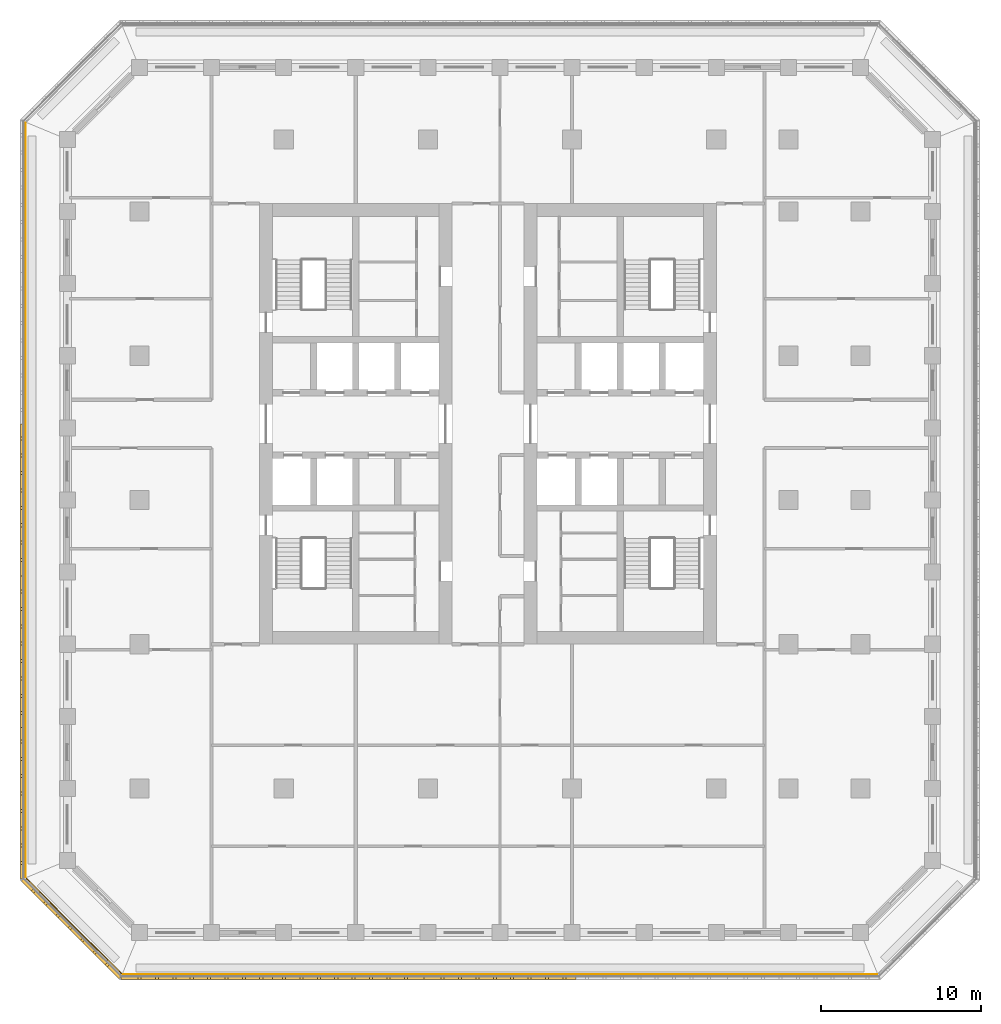
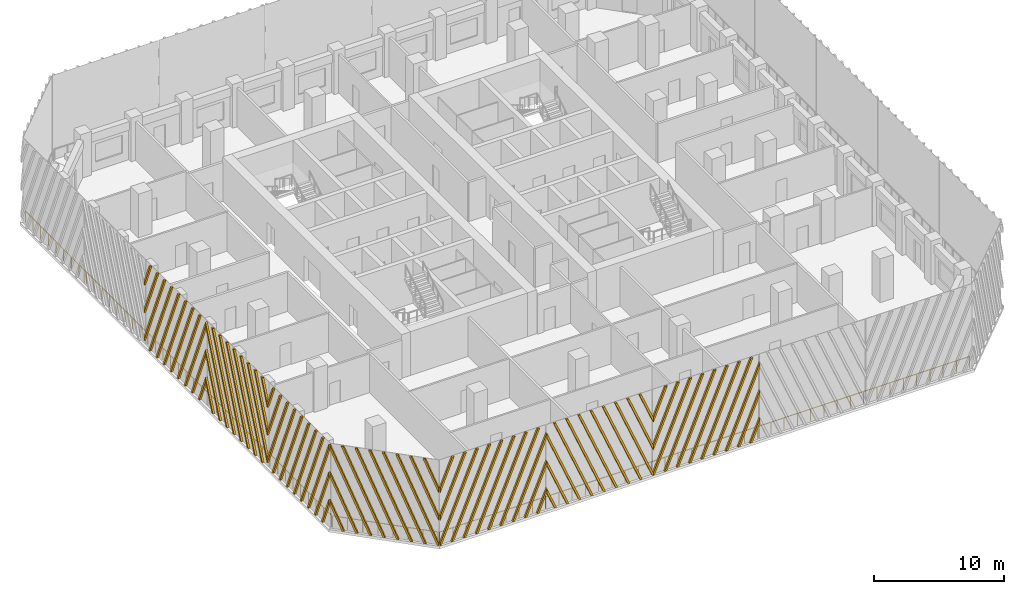
# One storey, part 10 of 17: 7 shading devices, 3 railings.
"""IFC4 building model written with IfcOpenShell, lengths in metres."""

from ifc_helpers import new_model, si_unit, direction, frame, origin, origin_2d, place, context, subcontext, project, spatial, polyline, circle, outline, extrude, source, transform, mapped, material, type_object, element, save


model = new_model("IFC4")

# Units and contexts
model_context = context("Model", 3, precision=1e-05, world=origin(), true_north=direction((0.0, 1.0)))
body_context = subcontext(model_context, "Body", "Model", "MODEL_VIEW")
ifc_project = project(units=[si_unit("LENGTHUNIT", "METRE"), si_unit("AREAUNIT", "SQUARE_METRE"), si_unit("VOLUMEUNIT", "CUBIC_METRE"), si_unit("PLANEANGLEUNIT", "RADIAN"), si_unit("MASSUNIT", "GRAM", prefix="KILO")], contexts=[model_context])

# Site, building, storey
site_placement = place(None, origin())
site = spatial("IfcSite", under=ifc_project, at=site_placement, CompositionType="ELEMENT")
building_placement = place(site_placement, origin())
building = spatial("IfcBuilding", under=site, at=building_placement, Name="Corbel Stack Research Tower", CompositionType="ELEMENT")
storey_placement = place(building_placement, frame((0.0, 0.0, 207.89990234375)))
storey = spatial("IfcBuildingStorey", under=building, at=storey_placement, Name="L47", CompositionType="ELEMENT", Elevation=207.89990234375)

# Railings
ifc_material_1 = material(Name="Powder-coated steel guard", Category="steel")
railing_type = type_object("IfcRailingType", Name="Steel and glass guard 1100", PredefinedType="GUARDRAIL", material=ifc_material_1)
railing_1_placement = place(storey_placement, frame((-19.00537109375, -29.60009765625, 0.0)))
element("IfcRailing", 1, at=railing_1_placement, inside=storey, type_object=railing_type, Name="Loggia guard L47 S", PredefinedType="GUARDRAIL", context=body_context, shape_type="SweptSolid", body=[
    extrude(circle(Radius=0.02392578125, at=origin_2d()), frame((0.0, 0.0, 1.076171875), z_axis=(1.0, 0.0, 0.0), x_axis=(0.0, 1.0, 0.0)), (0.0, 0.0, 1.0), 47.0107421875),
    extrude(circle(Radius=0.02099609375, at=origin_2d()), origin(), (0.0, 0.0, 1.0), 1.052001953125),
    extrude(circle(Radius=0.02099609375, at=origin_2d()), frame((1.17529296875, 0.0, 0.0)), (0.0, 0.0, 1.0), 1.052001953125),
    extrude(circle(Radius=0.02099609375, at=origin_2d()), frame((2.3505859375, 0.0, 0.0)), (0.0, 0.0, 1.0), 1.052001953125),
    extrude(circle(Radius=0.02099609375, at=origin_2d()), frame((3.52587890625, 0.0, 0.0)), (0.0, 0.0, 1.0), 1.052001953125),
    extrude(circle(Radius=0.02099609375, at=origin_2d()), frame((4.701171875, 0.0, 0.0)), (0.0, 0.0, 1.0), 1.052001953125),
    extrude(circle(Radius=0.02099609375, at=origin_2d()), frame((5.87646484375, 0.0, 0.0)), (0.0, 0.0, 1.0), 1.052001953125),
    extrude(circle(Radius=0.02099609375, at=origin_2d()), frame((7.051513671875, 0.0, 0.0)), (0.0, 0.0, 1.0), 1.052001953125),
    extrude(circle(Radius=0.02099609375, at=origin_2d()), frame((8.226806640625, 0.0, 0.0)), (0.0, 0.0, 1.0), 1.052001953125),
    extrude(circle(Radius=0.02099609375, at=origin_2d()), frame((9.402099609375, 0.0, 0.0)), (0.0, 0.0, 1.0), 1.052001953125),
    extrude(circle(Radius=0.02099609375, at=origin_2d()), frame((10.577392578125, 0.0, 0.0)), (0.0, 0.0, 1.0), 1.052001953125),
    extrude(circle(Radius=0.02099609375, at=origin_2d()), frame((11.752685546875, 0.0, 0.0)), (0.0, 0.0, 1.0), 1.052001953125),
    extrude(circle(Radius=0.02099609375, at=origin_2d()), frame((12.927978515625, 0.0, 0.0)), (0.0, 0.0, 1.0), 1.052001953125),
    extrude(circle(Radius=0.02099609375, at=origin_2d()), frame((14.103271484375, 0.0, 0.0)), (0.0, 0.0, 1.0), 1.052001953125),
    extrude(circle(Radius=0.02099609375, at=origin_2d()), frame((15.278564453125, 0.0, 0.0)), (0.0, 0.0, 1.0), 1.052001953125),
    extrude(circle(Radius=0.02099609375, at=origin_2d()), frame((16.453857421875, 0.0, 0.0)), (0.0, 0.0, 1.0), 1.052001953125),
    extrude(circle(Radius=0.02099609375, at=origin_2d()), frame((17.62890625, 0.0, 0.0)), (0.0, 0.0, 1.0), 1.052001953125),
    extrude(circle(Radius=0.02099609375, at=origin_2d()), frame((18.80419921875, 0.0, 0.0)), (0.0, 0.0, 1.0), 1.052001953125),
    extrude(circle(Radius=0.02099609375, at=origin_2d()), frame((19.9794921875, 0.0, 0.0)), (0.0, 0.0, 1.0), 1.052001953125),
    extrude(circle(Radius=0.02099609375, at=origin_2d()), frame((21.15478515625, 0.0, 0.0)), (0.0, 0.0, 1.0), 1.052001953125),
    extrude(circle(Radius=0.02099609375, at=origin_2d()), frame((22.330078125, 0.0, 0.0)), (0.0, 0.0, 1.0), 1.052001953125),
    extrude(circle(Radius=0.02099609375, at=origin_2d()), frame((23.50537109375, 0.0, 0.0)), (0.0, 0.0, 1.0), 1.052001953125),
    extrude(circle(Radius=0.02099609375, at=origin_2d()), frame((24.6806640625, 0.0, 0.0)), (0.0, 0.0, 1.0), 1.052001953125),
    extrude(circle(Radius=0.02099609375, at=origin_2d()), frame((25.85595703125, 0.0, 0.0)), (0.0, 0.0, 1.0), 1.052001953125),
    extrude(circle(Radius=0.02099609375, at=origin_2d()), frame((27.03125, 0.0, 0.0)), (0.0, 0.0, 1.0), 1.052001953125),
    extrude(circle(Radius=0.02099609375, at=origin_2d()), frame((28.20654296875, 0.0, 0.0)), (0.0, 0.0, 1.0), 1.052001953125),
    extrude(circle(Radius=0.02099609375, at=origin_2d()), frame((29.3818359375, 0.0, 0.0)), (0.0, 0.0, 1.0), 1.052001953125),
    extrude(circle(Radius=0.02099609375, at=origin_2d()), frame((30.556884765625, 0.0, 0.0)), (0.0, 0.0, 1.0), 1.052001953125),
    extrude(circle(Radius=0.02099609375, at=origin_2d()), frame((31.732177734375, 0.0, 0.0)), (0.0, 0.0, 1.0), 1.052001953125),
    extrude(circle(Radius=0.02099609375, at=origin_2d()), frame((32.907470703125, 0.0, 0.0)), (0.0, 0.0, 1.0), 1.052001953125),
    extrude(circle(Radius=0.02099609375, at=origin_2d()), frame((34.082763671875, 0.0, 0.0)), (0.0, 0.0, 1.0), 1.052001953125),
    extrude(circle(Radius=0.02099609375, at=origin_2d()), frame((35.258056640625, 0.0, 0.0)), (0.0, 0.0, 1.0), 1.052001953125),
    extrude(circle(Radius=0.02099609375, at=origin_2d()), frame((36.433349609375, 0.0, 0.0)), (0.0, 0.0, 1.0), 1.052001953125),
    extrude(circle(Radius=0.02099609375, at=origin_2d()), frame((37.608642578125, 0.0, 0.0)), (0.0, 0.0, 1.0), 1.052001953125),
    extrude(circle(Radius=0.02099609375, at=origin_2d()), frame((38.783935546875, 0.0, 0.0)), (0.0, 0.0, 1.0), 1.052001953125),
    extrude(circle(Radius=0.02099609375, at=origin_2d()), frame((39.959228515625, 0.0, 0.0)), (0.0, 0.0, 1.0), 1.052001953125),
    extrude(circle(Radius=0.02099609375, at=origin_2d()), frame((41.13427734375, 0.0, 0.0)), (0.0, 0.0, 1.0), 1.052001953125),
    extrude(circle(Radius=0.02099609375, at=origin_2d()), frame((42.3095703125, 0.0, 0.0)), (0.0, 0.0, 1.0), 1.052001953125),
    extrude(circle(Radius=0.02099609375, at=origin_2d()), frame((43.48486328125, 0.0, 0.0)), (0.0, 0.0, 1.0), 1.052001953125),
    extrude(circle(Radius=0.02099609375, at=origin_2d()), frame((44.66015625, 0.0, 0.0)), (0.0, 0.0, 1.0), 1.052001953125),
    extrude(circle(Radius=0.02099609375, at=origin_2d()), frame((45.83544921875, 0.0, 0.0)), (0.0, 0.0, 1.0), 1.052001953125),
    extrude(circle(Radius=0.02099609375, at=origin_2d()), frame((47.0107421875, 0.0, 0.0)), (0.0, 0.0, 1.0), 1.052001953125),
])
railing_2_placement = place(storey_placement, frame((-25.10009765625, 23.50537109375, 0.0)))
element("IfcRailing", 2, at=railing_2_placement, inside=storey, type_object=railing_type, Name="Loggia guard L47 W", PredefinedType="GUARDRAIL", context=body_context, shape_type="SweptSolid", body=[
    extrude(circle(Radius=0.02392578125, at=origin_2d()), frame((0.0, 0.0, 1.076171875), z_axis=(0.0, -1.0, 0.0), x_axis=(1.0, 0.0, 0.0)), (0.0, 0.0, 1.0), 47.0107421875),
    extrude(circle(Radius=0.02099609375, at=origin_2d()), origin(), (0.0, 0.0, 1.0), 1.052001953125),
    extrude(circle(Radius=0.02099609375, at=origin_2d()), frame((0.0, -1.17529296875, 0.0)), (0.0, 0.0, 1.0), 1.052001953125),
    extrude(circle(Radius=0.02099609375, at=origin_2d()), frame((0.0, -2.3505859375, 0.0)), (0.0, 0.0, 1.0), 1.052001953125),
    extrude(circle(Radius=0.02099609375, at=origin_2d()), frame((0.0, -3.52587890625, 0.0)), (0.0, 0.0, 1.0), 1.052001953125),
    extrude(circle(Radius=0.02099609375, at=origin_2d()), frame((0.0, -4.701171875, 0.0)), (0.0, 0.0, 1.0), 1.052001953125),
    extrude(circle(Radius=0.02099609375, at=origin_2d()), frame((0.0, -5.87646484375, 0.0)), (0.0, 0.0, 1.0), 1.052001953125),
    extrude(circle(Radius=0.02099609375, at=origin_2d()), frame((0.0, -7.051513671875, 0.0)), (0.0, 0.0, 1.0), 1.052001953125),
    extrude(circle(Radius=0.02099609375, at=origin_2d()), frame((0.0, -8.226806640625, 0.0)), (0.0, 0.0, 1.0), 1.052001953125),
    extrude(circle(Radius=0.02099609375, at=origin_2d()), frame((0.0, -9.402099609375, 0.0)), (0.0, 0.0, 1.0), 1.052001953125),
    extrude(circle(Radius=0.02099609375, at=origin_2d()), frame((0.0, -10.577392578125, 0.0)), (0.0, 0.0, 1.0), 1.052001953125),
    extrude(circle(Radius=0.02099609375, at=origin_2d()), frame((0.0, -11.752685546875, 0.0)), (0.0, 0.0, 1.0), 1.052001953125),
    extrude(circle(Radius=0.02099609375, at=origin_2d()), frame((0.0, -12.927978515625, 0.0)), (0.0, 0.0, 1.0), 1.052001953125),
    extrude(circle(Radius=0.02099609375, at=origin_2d()), frame((0.0, -14.103271484375, 0.0)), (0.0, 0.0, 1.0), 1.052001953125),
    extrude(circle(Radius=0.02099609375, at=origin_2d()), frame((0.0, -15.278564453125, 0.0)), (0.0, 0.0, 1.0), 1.052001953125),
    extrude(circle(Radius=0.02099609375, at=origin_2d()), frame((0.0, -16.453857421875, 0.0)), (0.0, 0.0, 1.0), 1.052001953125),
    extrude(circle(Radius=0.02099609375, at=origin_2d()), frame((0.0, -17.62890625, 0.0)), (0.0, 0.0, 1.0), 1.052001953125),
    extrude(circle(Radius=0.02099609375, at=origin_2d()), frame((0.0, -18.80419921875, 0.0)), (0.0, 0.0, 1.0), 1.052001953125),
    extrude(circle(Radius=0.02099609375, at=origin_2d()), frame((0.0, -19.9794921875, 0.0)), (0.0, 0.0, 1.0), 1.052001953125),
    extrude(circle(Radius=0.02099609375, at=origin_2d()), frame((0.0, -21.15478515625, 0.0)), (0.0, 0.0, 1.0), 1.052001953125),
    extrude(circle(Radius=0.02099609375, at=origin_2d()), frame((0.0, -22.330078125, 0.0)), (0.0, 0.0, 1.0), 1.052001953125),
    extrude(circle(Radius=0.02099609375, at=origin_2d()), frame((0.0, -23.50537109375, 0.0)), (0.0, 0.0, 1.0), 1.052001953125),
    extrude(circle(Radius=0.02099609375, at=origin_2d()), frame((0.0, -24.6806640625, 0.0)), (0.0, 0.0, 1.0), 1.052001953125),
    extrude(circle(Radius=0.02099609375, at=origin_2d()), frame((0.0, -25.85595703125, 0.0)), (0.0, 0.0, 1.0), 1.052001953125),
    extrude(circle(Radius=0.02099609375, at=origin_2d()), frame((0.0, -27.03125, 0.0)), (0.0, 0.0, 1.0), 1.052001953125),
    extrude(circle(Radius=0.02099609375, at=origin_2d()), frame((0.0, -28.20654296875, 0.0)), (0.0, 0.0, 1.0), 1.052001953125),
    extrude(circle(Radius=0.02099609375, at=origin_2d()), frame((0.0, -29.3818359375, 0.0)), (0.0, 0.0, 1.0), 1.052001953125),
    extrude(circle(Radius=0.02099609375, at=origin_2d()), frame((0.0, -30.556884765625, 0.0)), (0.0, 0.0, 1.0), 1.052001953125),
    extrude(circle(Radius=0.02099609375, at=origin_2d()), frame((0.0, -31.732177734375, 0.0)), (0.0, 0.0, 1.0), 1.052001953125),
    extrude(circle(Radius=0.02099609375, at=origin_2d()), frame((0.0, -32.907470703125, 0.0)), (0.0, 0.0, 1.0), 1.052001953125),
    extrude(circle(Radius=0.02099609375, at=origin_2d()), frame((0.0, -34.082763671875, 0.0)), (0.0, 0.0, 1.0), 1.052001953125),
    extrude(circle(Radius=0.02099609375, at=origin_2d()), frame((0.0, -35.258056640625, 0.0)), (0.0, 0.0, 1.0), 1.052001953125),
    extrude(circle(Radius=0.02099609375, at=origin_2d()), frame((0.0, -36.433349609375, 0.0)), (0.0, 0.0, 1.0), 1.052001953125),
    extrude(circle(Radius=0.02099609375, at=origin_2d()), frame((0.0, -37.608642578125, 0.0)), (0.0, 0.0, 1.0), 1.052001953125),
    extrude(circle(Radius=0.02099609375, at=origin_2d()), frame((0.0, -38.783935546875, 0.0)), (0.0, 0.0, 1.0), 1.052001953125),
    extrude(circle(Radius=0.02099609375, at=origin_2d()), frame((0.0, -39.959228515625, 0.0)), (0.0, 0.0, 1.0), 1.052001953125),
    extrude(circle(Radius=0.02099609375, at=origin_2d()), frame((0.0, -41.13427734375, 0.0)), (0.0, 0.0, 1.0), 1.052001953125),
    extrude(circle(Radius=0.02099609375, at=origin_2d()), frame((0.0, -42.3095703125, 0.0)), (0.0, 0.0, 1.0), 1.052001953125),
    extrude(circle(Radius=0.02099609375, at=origin_2d()), frame((0.0, -43.48486328125, 0.0)), (0.0, 0.0, 1.0), 1.052001953125),
    extrude(circle(Radius=0.02099609375, at=origin_2d()), frame((0.0, -44.66015625, 0.0)), (0.0, 0.0, 1.0), 1.052001953125),
    extrude(circle(Radius=0.02099609375, at=origin_2d()), frame((0.0, -45.83544921875, 0.0)), (0.0, 0.0, 1.0), 1.052001953125),
    extrude(circle(Radius=0.02099609375, at=origin_2d()), frame((0.0, -47.0107421875, 0.0)), (0.0, 0.0, 1.0), 1.052001953125),
])
railing_3_placement = place(storey_placement, frame((-25.04931640625, -23.627685546875, 0.0)))
element("IfcRailing", 3, at=railing_3_placement, inside=storey, type_object=railing_type, Name="Loggia guard L47 SW", PredefinedType="GUARDRAIL", context=body_context, shape_type="SweptSolid", body=[
    extrude(circle(Radius=0.02392578125, at=origin_2d()), frame((0.0, 0.0, 1.076171875), z_axis=(0.707106781187, -0.707106781187, 0.0), x_axis=(0.707106781187, 0.707106781187, 0.0)), (0.0, 0.0, 1.0), 8.37451171875),
    extrude(circle(Radius=0.02099609375, at=origin_2d()), origin(), (0.0, 0.0, 1.0), 1.052001953125),
    extrude(circle(Radius=0.02099609375, at=origin_2d()), frame((0.845947265625, -0.845947265625, 0.0)), (0.0, 0.0, 1.0), 1.052001953125),
    extrude(circle(Radius=0.02099609375, at=origin_2d()), frame((1.69189453125, -1.69189453125, 0.0)), (0.0, 0.0, 1.0), 1.052001953125),
    extrude(circle(Radius=0.02099609375, at=origin_2d()), frame((2.537841796875, -2.537841796875, 0.0)), (0.0, 0.0, 1.0), 1.052001953125),
    extrude(circle(Radius=0.02099609375, at=origin_2d()), frame((3.3837890625, -3.3837890625, 0.0)), (0.0, 0.0, 1.0), 1.052001953125),
    extrude(circle(Radius=0.02099609375, at=origin_2d()), frame((4.229736328125, -4.229736328125, 0.0)), (0.0, 0.0, 1.0), 1.052001953125),
    extrude(circle(Radius=0.02099609375, at=origin_2d()), frame((5.07568359375, -5.07568359375, 0.0)), (0.0, 0.0, 1.0), 1.052001953125),
    extrude(circle(Radius=0.02099609375, at=origin_2d()), frame((5.921630859375, -5.921630859375, 0.0)), (0.0, 0.0, 1.0), 1.052001953125),
])

# Shading devices
ifc_material_2 = material(Name="Precast terracotta", Category="masonry")
shading_device_type = type_object("IfcShadingDeviceType", Name="Terracotta screen panel", PredefinedType="USERDEFINED", material=ifc_material_2)
shared_shape_1 = source(origin(), body_context, "Body", "SweptSolid", [
    extrude(outline(polyline([(1.245849609375, 7.949951171875), (1.055908203125, 7.949951171875), (0.0, 5.421875), (0.0, 4.966796875), (1.245849609375, 7.949951171875)])), frame((0.0, 0.0, 0.0), z_axis=(0.0, -1.0, 0.0), x_axis=(1.0, 0.0, 0.0)), (0.0, 0.0, 1.0), 0.179931640625),
    extrude(outline(polyline([(2.33056640625, 7.949951171875), (2.140380859375, 7.949951171875), (0.0, 2.82470703125), (0.0, 2.36962890625), (2.33056640625, 7.949951171875)])), frame((0.0, 0.0, 0.0), z_axis=(0.0, -1.0, 0.0), x_axis=(1.0, 0.0, 0.0)), (0.0, 0.0, 1.0), 0.179931640625),
    extrude(outline(polyline([(0.094970703125, 0.0), (3.415283203125, 7.949951171875), (3.22509765625, 7.949951171875), (0.0, 0.2275390625), (0.0, 0.0), (0.094970703125, 0.0)])), frame((0.0, 0.0, 0.0), z_axis=(0.0, -1.0, 0.0), x_axis=(1.0, 0.0, 0.0)), (0.0, 0.0, 1.0), 0.179931640625),
    extrude(outline(polyline([(1.1796875, 0.0), (4.499755859375, 7.949951171875), (4.309814453125, 7.949951171875), (0.98974609375, 0.0), (1.1796875, 0.0)])), frame((0.0, 0.0, 0.0), z_axis=(0.0, -1.0, 0.0), x_axis=(1.0, 0.0, 0.0)), (0.0, 0.0, 1.0), 0.179931640625),
    extrude(outline(polyline([(2.264404296875, 0.0), (5.58447265625, 7.949951171875), (5.39453125, 7.949951171875), (2.07421875, 0.0), (2.264404296875, 0.0)])), frame((0.0, 0.0, 0.0), z_axis=(0.0, -1.0, 0.0), x_axis=(1.0, 0.0, 0.0)), (0.0, 0.0, 1.0), 0.179931640625),
    extrude(outline(polyline([(3.34912109375, 0.0), (6.669189453125, 7.949951171875), (6.479248046875, 7.949951171875), (3.158935546875, 0.0), (3.34912109375, 0.0)])), frame((0.0, 0.0, 0.0), z_axis=(0.0, -1.0, 0.0), x_axis=(1.0, 0.0, 0.0)), (0.0, 0.0, 1.0), 0.179931640625),
    extrude(outline(polyline([(4.43359375, 0.0), (7.75390625, 7.949951171875), (7.563720703125, 7.949951171875), (4.24365234375, 0.0), (4.43359375, 0.0)])), frame((0.0, 0.0, 0.0), z_axis=(0.0, -1.0, 0.0), x_axis=(1.0, 0.0, 0.0)), (0.0, 0.0, 1.0), 0.179931640625),
    extrude(outline(polyline([(5.518310546875, 0.0), (8.83837890625, 7.949951171875), (8.6484375, 7.949951171875), (5.328369140625, 0.0), (5.518310546875, 0.0)])), frame((0.0, 0.0, 0.0), z_axis=(0.0, -1.0, 0.0), x_axis=(1.0, 0.0, 0.0)), (0.0, 0.0, 1.0), 0.179931640625),
    extrude(outline(polyline([(6.60302734375, 0.0), (9.45556640625, 6.83056640625), (9.45556640625, 7.285400390625), (6.4130859375, 0.0), (6.60302734375, 0.0)])), frame((0.0, 0.0, 0.0), z_axis=(0.0, -1.0, 0.0), x_axis=(1.0, 0.0, 0.0)), (0.0, 0.0, 1.0), 0.179931640625),
    extrude(outline(polyline([(7.687744140625, 0.0), (9.45556640625, 4.2333984375), (9.45556640625, 4.688232421875), (7.497802734375, 0.0), (7.687744140625, 0.0)])), frame((0.0, 0.0, 0.0), z_axis=(0.0, -1.0, 0.0), x_axis=(1.0, 0.0, 0.0)), (0.0, 0.0, 1.0), 0.179931640625),
    extrude(outline(polyline([(8.772216796875, 0.0), (9.45556640625, 1.635986328125), (9.45556640625, 2.091064453125), (8.582275390625, 0.0), (8.772216796875, 0.0)])), frame((0.0, 0.0, 0.0), z_axis=(0.0, -1.0, 0.0), x_axis=(1.0, 0.0, 0.0)), (0.0, 0.0, 1.0), 0.179931640625),
])
for number, where, z_axis, x_axis, name in (
    (4, (-19.13916015625, -29.75, 0.0), (0.0, 0.0, 1.0), (1.0, 0.0, 0.0), "Terracotta screen L47 S1"),
    (5, (-0.227783203125, -29.75, 0.0), (0.0, 0.0, 1.0), (1.0, 0.0, 0.0), "Terracotta screen L47 S3"),
):
    element("IfcShadingDevice", number, at=place(storey_placement, frame(where, z_axis=z_axis, x_axis=x_axis)), inside=storey, type_object=shading_device_type, Name=name, ObjectType="SCREEN", PredefinedType="USERDEFINED", context=body_context, shape_type="MappedRepresentation", body=[
        mapped(shared_shape_1, transform((0.0, 0.0, 0.0))),
    ])
shared_shape_2 = source(origin(), body_context, "Body", "SweptSolid", [
    extrude(outline(polyline([(0.873291015625, 0.0), (0.0, 2.091064453125), (0.0, 1.635986328125), (0.683349609375, 0.0), (0.873291015625, 0.0)])), frame((0.0, 0.0, 0.0), z_axis=(0.0, -1.0, 0.0), x_axis=(1.0, 0.0, 0.0)), (0.0, 0.0, 1.0), 0.179931640625),
    extrude(outline(polyline([(1.9580078125, 0.0), (0.0, 4.688232421875), (0.0, 4.2333984375), (1.76806640625, 0.0), (1.9580078125, 0.0)])), frame((0.0, 0.0, 0.0), z_axis=(0.0, -1.0, 0.0), x_axis=(1.0, 0.0, 0.0)), (0.0, 0.0, 1.0), 0.179931640625),
    extrude(outline(polyline([(3.04248046875, 0.0), (0.0, 7.285400390625), (0.0, 6.83056640625), (2.8525390625, 0.0), (3.04248046875, 0.0)])), frame((0.0, 0.0, 0.0), z_axis=(0.0, -1.0, 0.0), x_axis=(1.0, 0.0, 0.0)), (0.0, 0.0, 1.0), 0.179931640625),
    extrude(outline(polyline([(4.127197265625, 0.0), (0.80712890625, 7.949951171875), (0.6171875, 7.949951171875), (3.937255859375, 0.0), (4.127197265625, 0.0)])), frame((0.0, 0.0, 0.0), z_axis=(0.0, -1.0, 0.0), x_axis=(1.0, 0.0, 0.0)), (0.0, 0.0, 1.0), 0.179931640625),
    extrude(outline(polyline([(5.2119140625, 0.0), (1.891845703125, 7.949951171875), (1.701904296875, 7.949951171875), (5.02197265625, 0.0), (5.2119140625, 0.0)])), frame((0.0, 0.0, 0.0), z_axis=(0.0, -1.0, 0.0), x_axis=(1.0, 0.0, 0.0)), (0.0, 0.0, 1.0), 0.179931640625),
    extrude(outline(polyline([(6.296630859375, 0.0), (2.9765625, 7.949951171875), (2.78662109375, 7.949951171875), (6.106689453125, 0.0), (6.296630859375, 0.0)])), frame((0.0, 0.0, 0.0), z_axis=(0.0, -1.0, 0.0), x_axis=(1.0, 0.0, 0.0)), (0.0, 0.0, 1.0), 0.179931640625),
    extrude(outline(polyline([(7.38134765625, 0.0), (4.06103515625, 7.949951171875), (3.87109375, 7.949951171875), (7.19140625, 0.0), (7.38134765625, 0.0)])), frame((0.0, 0.0, 0.0), z_axis=(0.0, -1.0, 0.0), x_axis=(1.0, 0.0, 0.0)), (0.0, 0.0, 1.0), 0.179931640625),
    extrude(outline(polyline([(8.466064453125, 0.0), (5.145751953125, 7.949951171875), (4.955810546875, 7.949951171875), (8.27587890625, 0.0), (8.466064453125, 0.0)])), frame((0.0, 0.0, 0.0), z_axis=(0.0, -1.0, 0.0), x_axis=(1.0, 0.0, 0.0)), (0.0, 0.0, 1.0), 0.179931640625),
    extrude(outline(polyline([(9.45556640625, 0.0), (9.45556640625, 0.2275390625), (6.23046875, 7.949951171875), (6.04052734375, 7.949951171875), (9.360595703125, 0.0), (9.45556640625, 0.0)])), frame((0.0, 0.0, 0.0), z_axis=(0.0, -1.0, 0.0), x_axis=(1.0, 0.0, 0.0)), (0.0, 0.0, 1.0), 0.179931640625),
    extrude(outline(polyline([(7.315185546875, 7.949951171875), (7.125, 7.949951171875), (9.45556640625, 2.36962890625), (9.45556640625, 2.82470703125), (7.315185546875, 7.949951171875)])), frame((0.0, 0.0, 0.0), z_axis=(0.0, -1.0, 0.0), x_axis=(1.0, 0.0, 0.0)), (0.0, 0.0, 1.0), 0.179931640625),
    extrude(outline(polyline([(8.39990234375, 7.949951171875), (8.209716796875, 7.949951171875), (9.45556640625, 4.966796875), (9.45556640625, 5.421875), (8.39990234375, 7.949951171875)])), frame((0.0, 0.0, 0.0), z_axis=(0.0, -1.0, 0.0), x_axis=(1.0, 0.0, 0.0)), (0.0, 0.0, 1.0), 0.179931640625),
])
shading_device_1_placement = place(storey_placement, frame((-9.68359375, -29.75, 0.0), z_axis=(0.0, 0.0, 1.0), x_axis=(1.0, 0.0, 0.0)))
element("IfcShadingDevice", 6, at=shading_device_1_placement, inside=storey, type_object=shading_device_type, Name="Terracotta screen L47 S2", ObjectType="SCREEN", PredefinedType="USERDEFINED", context=body_context, shape_type="MappedRepresentation", body=[
    mapped(shared_shape_2, transform((0.0, 0.0, 0.0))),
])
shared_shape_3 = source(origin(), body_context, "Body", "SweptSolid", [
    extrude(outline(polyline([(0.974609375, 7.949951171875), (0.78466796875, 7.949951171875), (0.0, 6.071044921875), (0.0, 5.6162109375), (0.974609375, 7.949951171875)])), frame((0.0, 0.0, 0.0), z_axis=(0.0, -1.0, 0.0), x_axis=(1.0, 0.0, 0.0)), (0.0, 0.0, 1.0), 0.179931640625),
    extrude(outline(polyline([(2.059326171875, 7.949951171875), (1.869384765625, 7.949951171875), (0.0, 3.473876953125), (0.0, 3.01904296875), (2.059326171875, 7.949951171875)])), frame((0.0, 0.0, 0.0), z_axis=(0.0, -1.0, 0.0), x_axis=(1.0, 0.0, 0.0)), (0.0, 0.0, 1.0), 0.179931640625),
    extrude(outline(polyline([(3.14404296875, 7.949951171875), (2.9541015625, 7.949951171875), (0.0, 0.876708984375), (0.0, 0.421875), (3.14404296875, 7.949951171875)])), frame((0.0, 0.0, 0.0), z_axis=(0.0, -1.0, 0.0), x_axis=(1.0, 0.0, 0.0)), (0.0, 0.0, 1.0), 0.179931640625),
    extrude(outline(polyline([(0.908447265625, 0.0), (4.228759765625, 7.949951171875), (4.038818359375, 7.949951171875), (0.718505859375, 0.0), (0.908447265625, 0.0)])), frame((0.0, 0.0, 0.0), z_axis=(0.0, -1.0, 0.0), x_axis=(1.0, 0.0, 0.0)), (0.0, 0.0, 1.0), 0.179931640625),
    extrude(outline(polyline([(1.9931640625, 0.0), (5.313232421875, 7.949951171875), (5.123291015625, 7.949951171875), (1.80322265625, 0.0), (1.9931640625, 0.0)])), frame((0.0, 0.0, 0.0), z_axis=(0.0, -1.0, 0.0), x_axis=(1.0, 0.0, 0.0)), (0.0, 0.0, 1.0), 0.179931640625),
    extrude(outline(polyline([(3.077880859375, 0.0), (6.39794921875, 7.949951171875), (6.2080078125, 7.949951171875), (2.8876953125, 0.0), (3.077880859375, 0.0)])), frame((0.0, 0.0, 0.0), z_axis=(0.0, -1.0, 0.0), x_axis=(1.0, 0.0, 0.0)), (0.0, 0.0, 1.0), 0.179931640625),
    extrude(outline(polyline([(4.16259765625, 0.0), (7.482666015625, 7.949951171875), (7.292724609375, 7.949951171875), (3.972412109375, 0.0), (4.16259765625, 0.0)])), frame((0.0, 0.0, 0.0), z_axis=(0.0, -1.0, 0.0), x_axis=(1.0, 0.0, 0.0)), (0.0, 0.0, 1.0), 0.179931640625),
    extrude(outline(polyline([(5.247314453125, 0.0), (8.5673828125, 7.949951171875), (8.377197265625, 7.949951171875), (5.05712890625, 0.0), (5.247314453125, 0.0)])), frame((0.0, 0.0, 0.0), z_axis=(0.0, -1.0, 0.0), x_axis=(1.0, 0.0, 0.0)), (0.0, 0.0, 1.0), 0.179931640625),
    extrude(outline(polyline([(6.331787109375, 0.0), (9.45556640625, 7.479736328125), (9.45556640625, 7.934814453125), (6.141845703125, 0.0), (6.331787109375, 0.0)])), frame((0.0, 0.0, 0.0), z_axis=(0.0, -1.0, 0.0), x_axis=(1.0, 0.0, 0.0)), (0.0, 0.0, 1.0), 0.179931640625),
    extrude(outline(polyline([(7.41650390625, 0.0), (9.45556640625, 4.882568359375), (9.45556640625, 5.337646484375), (7.2265625, 0.0), (7.41650390625, 0.0)])), frame((0.0, 0.0, 0.0), z_axis=(0.0, -1.0, 0.0), x_axis=(1.0, 0.0, 0.0)), (0.0, 0.0, 1.0), 0.179931640625),
    extrude(outline(polyline([(8.501220703125, 0.0), (9.45556640625, 2.285400390625), (9.45556640625, 2.740478515625), (8.311279296875, 0.0), (8.501220703125, 0.0)])), frame((0.0, 0.0, 0.0), z_axis=(0.0, -1.0, 0.0), x_axis=(1.0, 0.0, 0.0)), (0.0, 0.0, 1.0), 0.179931640625),
])
for number, where, z_axis, x_axis, name in (
    (7, (-25.25, 4.727783203125, 0.0), (0.0, 0.0, 1.0), (0.0, -1.0, 0.0), "Terracotta screen L47 W3"),
    (8, (-25.25, -14.18359375, 0.0), (0.0, 0.0, 1.0), (0.0, -1.0, 0.0), "Terracotta screen L47 W5"),
):
    element("IfcShadingDevice", number, at=place(storey_placement, frame(where, z_axis=z_axis, x_axis=x_axis)), inside=storey, type_object=shading_device_type, Name=name, ObjectType="SCREEN", PredefinedType="USERDEFINED", context=body_context, shape_type="MappedRepresentation", body=[
        mapped(shared_shape_3, transform((0.0, 0.0, 0.0))),
    ])
shared_shape_4 = source(origin(), body_context, "Body", "SweptSolid", [
    extrude(outline(polyline([(1.14453125, 0.0), (0.0, 2.740478515625), (0.0, 2.285400390625), (0.95458984375, 0.0), (1.14453125, 0.0)])), frame((0.0, 0.0, 0.0), z_axis=(0.0, -1.0, 0.0), x_axis=(1.0, 0.0, 0.0)), (0.0, 0.0, 1.0), 0.179931640625),
    extrude(outline(polyline([(2.22900390625, 0.0), (0.0, 5.337646484375), (0.0, 4.882568359375), (2.0390625, 0.0), (2.22900390625, 0.0)])), frame((0.0, 0.0, 0.0), z_axis=(0.0, -1.0, 0.0), x_axis=(1.0, 0.0, 0.0)), (0.0, 0.0, 1.0), 0.179931640625),
    extrude(outline(polyline([(3.313720703125, 0.0), (0.0, 7.934814453125), (0.0, 7.479736328125), (3.123779296875, 0.0), (3.313720703125, 0.0)])), frame((0.0, 0.0, 0.0), z_axis=(0.0, -1.0, 0.0), x_axis=(1.0, 0.0, 0.0)), (0.0, 0.0, 1.0), 0.179931640625),
    extrude(outline(polyline([(4.3984375, 0.0), (1.078369140625, 7.949951171875), (0.88818359375, 7.949951171875), (4.20849609375, 0.0), (4.3984375, 0.0)])), frame((0.0, 0.0, 0.0), z_axis=(0.0, -1.0, 0.0), x_axis=(1.0, 0.0, 0.0)), (0.0, 0.0, 1.0), 0.179931640625),
    extrude(outline(polyline([(5.483154296875, 0.0), (2.1630859375, 7.949951171875), (1.972900390625, 7.949951171875), (5.293212890625, 0.0), (5.483154296875, 0.0)])), frame((0.0, 0.0, 0.0), z_axis=(0.0, -1.0, 0.0), x_axis=(1.0, 0.0, 0.0)), (0.0, 0.0, 1.0), 0.179931640625),
    extrude(outline(polyline([(6.56787109375, 0.0), (3.24755859375, 7.949951171875), (3.0576171875, 7.949951171875), (6.377685546875, 0.0), (6.56787109375, 0.0)])), frame((0.0, 0.0, 0.0), z_axis=(0.0, -1.0, 0.0), x_axis=(1.0, 0.0, 0.0)), (0.0, 0.0, 1.0), 0.179931640625),
    extrude(outline(polyline([(7.652587890625, 0.0), (4.332275390625, 7.949951171875), (4.142333984375, 7.949951171875), (7.46240234375, 0.0), (7.652587890625, 0.0)])), frame((0.0, 0.0, 0.0), z_axis=(0.0, -1.0, 0.0), x_axis=(1.0, 0.0, 0.0)), (0.0, 0.0, 1.0), 0.179931640625),
    extrude(outline(polyline([(8.737060546875, 0.0), (5.4169921875, 7.949951171875), (5.22705078125, 7.949951171875), (8.547119140625, 0.0), (8.737060546875, 0.0)])), frame((0.0, 0.0, 0.0), z_axis=(0.0, -1.0, 0.0), x_axis=(1.0, 0.0, 0.0)), (0.0, 0.0, 1.0), 0.179931640625),
    extrude(outline(polyline([(6.501708984375, 7.949951171875), (6.3115234375, 7.949951171875), (9.45556640625, 0.421875), (9.45556640625, 0.876708984375), (6.501708984375, 7.949951171875)])), frame((0.0, 0.0, 0.0), z_axis=(0.0, -1.0, 0.0), x_axis=(1.0, 0.0, 0.0)), (0.0, 0.0, 1.0), 0.179931640625),
    extrude(outline(polyline([(7.586181640625, 7.949951171875), (7.396240234375, 7.949951171875), (9.45556640625, 3.01904296875), (9.45556640625, 3.473876953125), (7.586181640625, 7.949951171875)])), frame((0.0, 0.0, 0.0), z_axis=(0.0, -1.0, 0.0), x_axis=(1.0, 0.0, 0.0)), (0.0, 0.0, 1.0), 0.179931640625),
    extrude(outline(polyline([(8.6708984375, 7.949951171875), (8.48095703125, 7.949951171875), (9.45556640625, 5.6162109375), (9.45556640625, 6.071044921875), (8.6708984375, 7.949951171875)])), frame((0.0, 0.0, 0.0), z_axis=(0.0, -1.0, 0.0), x_axis=(1.0, 0.0, 0.0)), (0.0, 0.0, 1.0), 0.179931640625),
])
shading_device_2_placement = place(storey_placement, frame((-25.25, -4.727783203125, 0.0), z_axis=(0.0, 0.0, 1.0), x_axis=(0.0, -1.0, 0.0)))
element("IfcShadingDevice", 9, at=shading_device_2_placement, inside=storey, type_object=shading_device_type, Name="Terracotta screen L47 W4", ObjectType="SCREEN", PredefinedType="USERDEFINED", context=body_context, shape_type="MappedRepresentation", body=[
    mapped(shared_shape_4, transform((0.0, 0.0, 0.0))),
])
shared_shape_5 = source(origin(), body_context, "Body", "SweptSolid", [
    extrude(outline(polyline([(1.14453125, 0.0), (0.0, 2.740478515625), (0.0, 2.285400390625), (0.95458984375, 0.0), (1.14453125, 0.0)])), frame((0.0, 0.0, 0.0), z_axis=(0.0, -1.0, 0.0), x_axis=(1.0, 0.0, 0.0)), (0.0, 0.0, 1.0), 0.179931640625),
    extrude(outline(polyline([(2.22900390625, 0.0), (0.0, 5.337646484375), (0.0, 4.882568359375), (2.0390625, 0.0), (2.22900390625, 0.0)])), frame((0.0, 0.0, 0.0), z_axis=(0.0, -1.0, 0.0), x_axis=(1.0, 0.0, 0.0)), (0.0, 0.0, 1.0), 0.179931640625),
    extrude(outline(polyline([(3.313720703125, 0.0), (0.0, 7.934814453125), (0.0, 7.479736328125), (3.123779296875, 0.0), (3.313720703125, 0.0)])), frame((0.0, 0.0, 0.0), z_axis=(0.0, -1.0, 0.0), x_axis=(1.0, 0.0, 0.0)), (0.0, 0.0, 1.0), 0.179931640625),
    extrude(outline(polyline([(4.3984375, 0.0), (1.078369140625, 7.949951171875), (0.88818359375, 7.949951171875), (4.20849609375, 0.0), (4.3984375, 0.0)])), frame((0.0, 0.0, 0.0), z_axis=(0.0, -1.0, 0.0), x_axis=(1.0, 0.0, 0.0)), (0.0, 0.0, 1.0), 0.179931640625),
    extrude(outline(polyline([(5.483154296875, 0.0), (2.1630859375, 7.949951171875), (1.972900390625, 7.949951171875), (5.293212890625, 0.0), (5.483154296875, 0.0)])), frame((0.0, 0.0, 0.0), z_axis=(0.0, -1.0, 0.0), x_axis=(1.0, 0.0, 0.0)), (0.0, 0.0, 1.0), 0.179931640625),
    extrude(outline(polyline([(6.56787109375, 0.0), (3.24755859375, 7.949951171875), (3.0576171875, 7.949951171875), (6.377685546875, 0.0), (6.56787109375, 0.0)])), frame((0.0, 0.0, 0.0), z_axis=(0.0, -1.0, 0.0), x_axis=(1.0, 0.0, 0.0)), (0.0, 0.0, 1.0), 0.179931640625),
    extrude(outline(polyline([(7.652587890625, 0.0), (4.332275390625, 7.949951171875), (4.142333984375, 7.949951171875), (7.46240234375, 0.0), (7.652587890625, 0.0)])), frame((0.0, 0.0, 0.0), z_axis=(0.0, -1.0, 0.0), x_axis=(1.0, 0.0, 0.0)), (0.0, 0.0, 1.0), 0.179931640625),
    extrude(outline(polyline([(8.64208984375, 0.0), (8.64208984375, 0.2275390625), (5.4169921875, 7.949951171875), (5.22705078125, 7.949951171875), (8.547119140625, 0.0), (8.64208984375, 0.0)])), frame((0.0, 0.0, 0.0), z_axis=(0.0, -1.0, 0.0), x_axis=(1.0, 0.0, 0.0)), (0.0, 0.0, 1.0), 0.179931640625),
    extrude(outline(polyline([(6.501708984375, 7.949951171875), (6.3115234375, 7.949951171875), (8.64208984375, 2.36962890625), (8.64208984375, 2.82470703125), (6.501708984375, 7.949951171875)])), frame((0.0, 0.0, 0.0), z_axis=(0.0, -1.0, 0.0), x_axis=(1.0, 0.0, 0.0)), (0.0, 0.0, 1.0), 0.179931640625),
    extrude(outline(polyline([(7.586181640625, 7.949951171875), (7.396240234375, 7.949951171875), (8.64208984375, 4.966796875), (8.64208984375, 5.421875), (7.586181640625, 7.949951171875)])), frame((0.0, 0.0, 0.0), z_axis=(0.0, -1.0, 0.0), x_axis=(1.0, 0.0, 0.0)), (0.0, 0.0, 1.0), 0.179931640625),
])
shading_device_3_placement = place(storey_placement, frame((-25.25, -23.63916015625, 0.0), z_axis=(0.0, 0.0, 1.0), x_axis=(0.707106781187, -0.707106781187, 0.0)))
element("IfcShadingDevice", 10, at=shading_device_3_placement, inside=storey, type_object=shading_device_type, Name="Terracotta screen L47 SW1", ObjectType="SCREEN", PredefinedType="USERDEFINED", context=body_context, shape_type="MappedRepresentation", body=[
    mapped(shared_shape_5, transform((0.0, 0.0, 0.0))),
])

save(model, "model.ifc")
